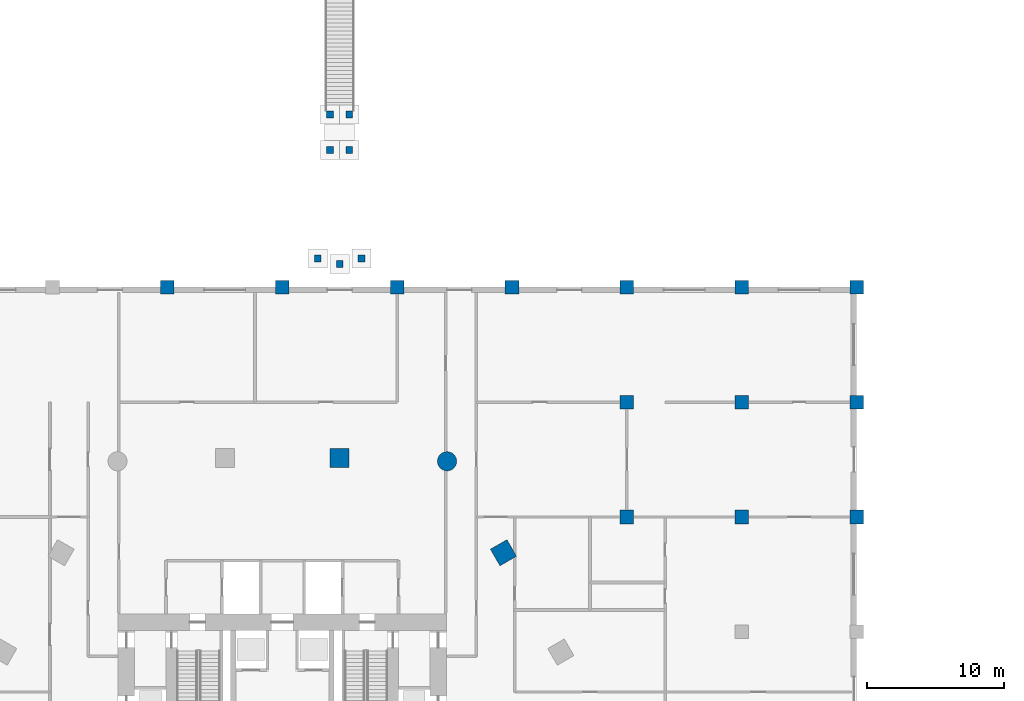
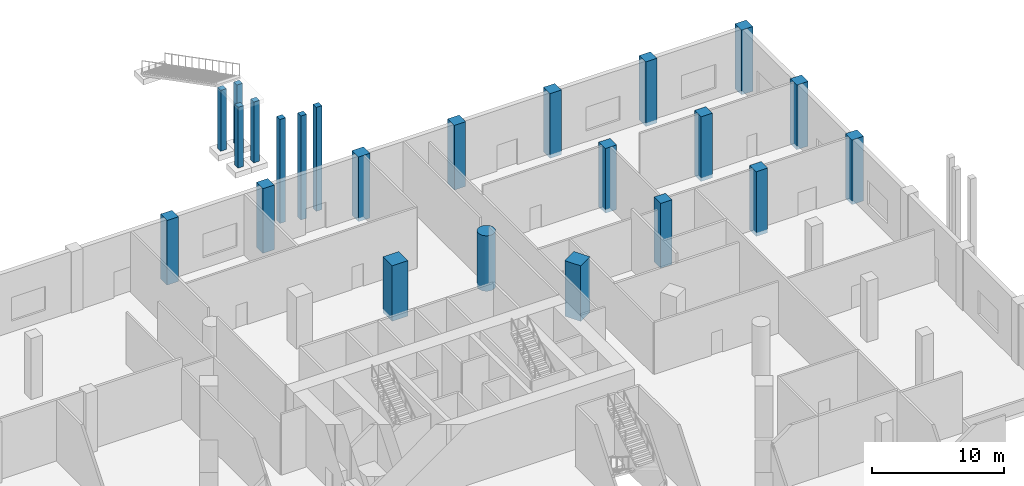
# One storey, part 2 of 25: 23 columns.
"""IFC4 building model written with IfcOpenShell, lengths in metres."""

import ifcopenshell
import ifcopenshell.guid

model = None  # the IFC model being written
_history = None  # IfcOwnerHistory: only IFC2X3 demands one
_inside = {}  # id of a spatial element -> (the spatial element, [elements in it])
_under = {}  # id of a project, library or spatial element -> (it, [spatial elements below it])
_declared = {}  # id of a project -> (the project, [libraries it declares])
_typed = {}  # id of a type object -> (the type object, [elements of that type])
_made_of = {}  # id of a material, layer set ... -> (it, [elements and type objects made of it])


def new_model(schema):
    """Start an empty IFC model of exactly this schema.

    Asked for "IFC4X3", IfcOpenShell would pick the latest addendum, in which some entities
    have other attributes; the version numbers below select the first issue.
    IFC2X3 requires an IfcOwnerHistory on every rooted entity: one is made here for all.
    """
    global model, _history
    if schema == "IFC4X3":
        model = ifcopenshell.file(schema_version=(4, 3, 0, 0))
    else:
        model = ifcopenshell.file(schema=schema)
    _inside.clear()
    _under.clear()
    _declared.clear()
    _typed.clear()
    _made_of.clear()
    _history = None
    if model.schema == "IFC2X3":
        org = make("IfcOrganization", Name="unknown")
        user = make(
            "IfcPersonAndOrganization",
            ThePerson=make("IfcPerson", FamilyName="unknown"),
            TheOrganization=org,
        )
        app = make(
            "IfcApplication",
            ApplicationDeveloper=org,
            Version="unknown",
            ApplicationFullName="unknown",
            ApplicationIdentifier="unknown",
        )
        _history = make(
            "IfcOwnerHistory",
            OwningUser=user,
            OwningApplication=app,
            ChangeAction="ADDED",
            CreationDate=0,
        )
    return model


def make(cls, **values):
    """One entity of the class cls with the attributes given. An attribute that is None is left unset."""
    return model.create_entity(
        cls, **{name: value for name, value in values.items() if value is not None}
    )


def rooted(cls, **values):
    """An entity with a GlobalId (a new one), such as an element, a storey or a relation."""
    return make(cls, GlobalId=ifcopenshell.guid.new(), OwnerHistory=_history, **values)


def si_unit(unit_type, name, prefix=None):
    """IfcSIUnit, for example si_unit("LENGTHUNIT", "METRE", prefix="MILLI")."""
    return make("IfcSIUnit", UnitType=unit_type, Prefix=prefix, Name=name)


def assignment(units):
    """IfcUnitAssignment: the units of a project."""
    return None if units is None else make("IfcUnitAssignment", Units=units)


def point(xyz):
    """IfcCartesianPoint."""
    return None if xyz is None else make("IfcCartesianPoint", Coordinates=xyz)


def direction(xyz):
    """IfcDirection."""
    return None if xyz is None else make("IfcDirection", DirectionRatios=xyz)


def frame(location, z_axis=None, x_axis=None):
    """IfcAxis2Placement3D, a coordinate frame: its origin and axes. An axis left out is left unset."""
    return make(
        "IfcAxis2Placement3D",
        Location=point(location),
        Axis=direction(z_axis),
        RefDirection=direction(x_axis),
    )


def frame_2d(location, x_axis=None):
    """IfcAxis2Placement2D, a coordinate frame in the plane: its origin and x axis."""
    return make(
        "IfcAxis2Placement2D", Location=point(location), RefDirection=direction(x_axis)
    )


def origin():
    """The frame at (0, 0, 0) with its axes left unset."""
    return frame((0.0, 0.0, 0.0))


def origin_2d():
    """The frame at (0, 0) in the plane with its x axis left unset."""
    return frame_2d((0.0, 0.0))


def place(relative_to, where):
    """IfcLocalPlacement: puts the frame where relative to a parent placement (None: the world)."""
    return make(
        "IfcLocalPlacement", PlacementRelTo=relative_to, RelativePlacement=where
    )


def context(
    kind, dimensions, precision=None, world=None, true_north=None, identifier=None
):
    """IfcGeometricRepresentationContext, for example the 3D "Model" context."""
    return make(
        "IfcGeometricRepresentationContext",
        ContextIdentifier=identifier,
        ContextType=kind,
        CoordinateSpaceDimension=dimensions,
        Precision=precision,
        WorldCoordinateSystem=world,
        TrueNorth=true_north,
    )


def subcontext(parent, identifier, kind, view, scale=None):
    """IfcGeometricRepresentationSubContext, for example "Body" below "Model"."""
    return make(
        "IfcGeometricRepresentationSubContext",
        ContextIdentifier=identifier,
        ContextType=kind,
        ParentContext=parent,
        TargetScale=scale,
        TargetView=view,
    )


def project(units=None, contexts=None):
    """IfcProject with its units and contexts."""
    return rooted(
        "IfcProject",
        Name="project",
        RepresentationContexts=contexts,
        UnitsInContext=assignment(units),
    )


def spatial(cls, under=None, at=None, **own):
    """A site, building, storey or space (cls), placed at a placement, below another one or the project."""
    s = rooted(cls, ObjectPlacement=at, **own)
    if under is not None:
        _under.setdefault(under.id(), (under, []))[1].append(s)
    return s


def profile(cls, at=None, kind="AREA", **sizes):
    """A parametric profile (cls). Its sizes go by their IFC names, for example OverallWidth=200.0."""
    return make(cls, ProfileType=kind, Position=at, **sizes)


def rectangle(**sizes):
    """IfcRectangleProfileDef."""
    return profile("IfcRectangleProfileDef", **sizes)


def circle(**sizes):
    """IfcCircleProfileDef."""
    return profile("IfcCircleProfileDef", **sizes)


def extrude(swept, where, along, depth):
    """IfcExtrudedAreaSolid: the profile swept, set in the frame where, extruded along a direction by depth."""
    return make(
        "IfcExtrudedAreaSolid",
        SweptArea=swept,
        Position=where,
        ExtrudedDirection=direction(along),
        Depth=depth,
    )


def shape(context_of_items, identifier, shape_type, items):
    """IfcShapeRepresentation: the items that make up one representation, for example the "Body"."""
    return make(
        "IfcShapeRepresentation",
        ContextOfItems=context_of_items,
        RepresentationIdentifier=identifier,
        RepresentationType=shape_type,
        Items=items,
    )


def material(Name=None, Category=None):
    """IfcMaterial."""
    return make("IfcMaterial", Name=Name, Category=Category)


def material_profile(
    of_material, cross_section, Name=None, Category=None, Priority=None
):
    """IfcMaterialProfile: a cross section and its material."""
    return make(
        "IfcMaterialProfile",
        Name=Name,
        Material=of_material,
        Profile=cross_section,
        Priority=Priority,
        Category=Category,
    )


def profile_set(profiles, Name=None, composite=None):
    """IfcMaterialProfileSet."""
    return make(
        "IfcMaterialProfileSet",
        Name=Name,
        MaterialProfiles=profiles,
        CompositeProfile=composite,
    )


def made_of(thing, what):
    """Note that an element or type object is made of a material, layer set ...; save() writes the relation."""
    if what is not None:
        _made_of.setdefault(what.id(), (what, []))[1].append(thing)
    return thing


def type_object(cls, material=None, **own):
    """A type object (cls), such as IfcWallType, which elements share."""
    return made_of(rooted(cls, **own), material)


def element(
    cls,
    number,
    at=None,
    inside=None,
    cuts=None,
    type_object=None,
    material=None,
    context=None,
    identifier="Body",
    shape_type=None,
    held_by="IfcProductDefinitionShape",
    body=None,
    shapes=None,
    **own,
):
    """One element of the class cls, such as IfcWall. Its Tag is "e" and its number.

    at: its placement. inside: the storey or other place that contains it. cuts: it is an
    opening in that element (IfcRelVoidsElement). A single representation is given by context,
    identifier, shape_type and body (its items); several are given by shapes. held_by: the class
    of the entity that holds the representations. save() writes the other relations.
    """
    e = rooted(cls, Tag="e%d" % number, ObjectPlacement=at, **own)
    if body is not None:
        shapes = [shape(context, identifier, shape_type, body)]
    if shapes is not None:
        e.Representation = make(held_by, Representations=shapes)
    if inside is not None:
        _inside.setdefault(inside.id(), (inside, []))[1].append(e)
    if cuts is not None:
        rooted(
            "IfcRelVoidsElement", RelatingBuildingElement=cuts, RelatedOpeningElement=e
        )
    if type_object is not None:
        _typed.setdefault(type_object.id(), (type_object, []))[1].append(e)
    return made_of(e, material)


def aggregate(whole, parts):
    """IfcRelAggregates: a whole, such as a stair, and the parts it consists of."""
    return rooted("IfcRelAggregates", RelatingObject=whole, RelatedObjects=parts)


def save(model, path):
    """Write the relations noted so far, then the file.

    IfcRelAggregates (storeys below a building ...), IfcRelContainedInSpatialStructure (elements
    in a storey), IfcRelDefinesByType, IfcRelAssociatesMaterial and IfcRelDeclares: one each for
    every whole, place, type object, material and project.
    """
    for whole, parts in _under.values():
        aggregate(whole, parts)
    for where, things in _inside.values():
        rooted(
            "IfcRelContainedInSpatialStructure",
            RelatedElements=things,
            RelatingStructure=where,
        )
    for kind, things in _typed.values():
        rooted("IfcRelDefinesByType", RelatedObjects=things, RelatingType=kind)
    for what, things in _made_of.values():
        rooted("IfcRelAssociatesMaterial", RelatedObjects=things, RelatingMaterial=what)
    for by, libraries in _declared.values():
        rooted("IfcRelDeclares", RelatingContext=by, RelatedDefinitions=libraries)
    model.write(path)


model = new_model("IFC4")

# Units and contexts
model_context = context("Model", 3, precision=1e-05, world=origin(), true_north=direction((0.0, 1.0)))
body_context = subcontext(model_context, "Body", "Model", "MODEL_VIEW")
ifc_project = project(units=[si_unit("LENGTHUNIT", "METRE"), si_unit("AREAUNIT", "SQUARE_METRE"), si_unit("VOLUMEUNIT", "CUBIC_METRE"), si_unit("PLANEANGLEUNIT", "RADIAN"), si_unit("MASSUNIT", "GRAM", prefix="KILO")], contexts=[model_context])

# Site, building, storey
site_placement = place(None, origin())
site = spatial("IfcSite", under=ifc_project, at=site_placement, CompositionType="ELEMENT")
building_placement = place(site_placement, origin())
building = spatial("IfcBuilding", under=site, at=building_placement, Name="Ostrander Bayou Hotel Tower", CompositionType="ELEMENT")
storey_placement = place(building_placement, origin())
storey = spatial("IfcBuildingStorey", under=building, at=storey_placement, Name="L00", CompositionType="ELEMENT", Elevation=0.0)

# Columns
ifc_material_1 = material(Name="Concrete f'c 70 MPa", Category="concrete")
ifc_material_profile_1 = material_profile(ifc_material_1, circle(Radius=0.699951171875, at=origin_2d()))
ifc_profile_set_1 = profile_set([ifc_material_profile_1], Name="Concrete f'c 70 MPa")
column_type_1 = type_object("IfcColumnType", Name="C1 round column 1400 mm f'c 70 MPa", PredefinedType="COLUMN", material=ifc_profile_set_1)
column_placement = place(storey_placement, frame((12.050537109375, 20.872314453125, -0.35009765625), z_axis=(0.0, 0.0, 1.0), x_axis=(1.0, 0.0, 0.0)))
element("IfcColumn", 1, at=column_placement, inside=storey, type_object=column_type_1, Name="C1 L00 K5", PredefinedType="COLUMN", context=body_context, shape_type="SweptSolid", body=[
    extrude(circle(Radius=0.699951171875, at=origin_2d()), origin(), (0.0, 0.0, 1.0), 5.150146484375),
])
ifc_material_2 = material(Name="Concrete f'c 70 MPa", Category="concrete")
ifc_material_profile_2 = material_profile(ifc_material_2, rectangle(XDim=1.39990234375, YDim=1.39990234375, at=origin_2d()))
ifc_profile_set_2 = profile_set([ifc_material_profile_2], Name="Concrete f'c 70 MPa")
column_type_2 = type_object("IfcColumnType", Name="C2 square column 1400 x 1400 mm f'c 70 MPa", PredefinedType="COLUMN", material=ifc_profile_set_2)
for number, where, z_axis, x_axis, name in (
    (2, (4.1953125, 21.10009765625, -0.35009765625), (0.0, 0.0, 1.0), (1.0, 0.0, 0.0), "C2 L00 N1"),
    (3, (16.17529296875, 14.183349609375, -0.35009765625), (0.0, 0.0, 1.0), (0.5, -0.866025403784, 0.0), "C2 L00 NE2"),
):
    element("IfcColumn", number, at=place(storey_placement, frame(where, z_axis=z_axis, x_axis=x_axis)), inside=storey, type_object=column_type_2, Name=name, PredefinedType="COLUMN", context=body_context, shape_type="SweptSolid", body=[
        extrude(rectangle(XDim=1.39990234375, YDim=1.39990234375, at=origin_2d()), origin(), (0.0, 0.0, 1.0), 5.150146484375),
    ])
ifc_material_3 = material(Name="Concrete f'c 60 MPa", Category="concrete")
ifc_material_profile_3 = material_profile(ifc_material_3, rectangle(XDim=1.0, YDim=1.0, at=origin_2d()))
ifc_profile_set_3 = profile_set([ifc_material_profile_3], Name="Concrete f'c 60 MPa")
column_type_3 = type_object("IfcColumnType", Name="PC1 podium column 1000 x 1000 mm f'c 60 MPa", PredefinedType="COLUMN", material=ifc_profile_set_3)
for number, where, z_axis, x_axis, name in (
    (4, (-8.39990234375, 33.60009765625, -0.35009765625), (0.0, 0.0, 1.0), (1.0, 0.0, 0.0), "PC1 L00 5K"),
    (5, (0.0, 33.60009765625, -0.35009765625), (0.0, 0.0, 1.0), (1.0, 0.0, 0.0), "PC1 L00 6K"),
    (6, (8.39990234375, 33.60009765625, -0.35009765625), (0.0, 0.0, 1.0), (1.0, 0.0, 0.0), "PC1 L00 7K"),
    (7, (16.800048828125, 33.60009765625, -0.35009765625), (0.0, 0.0, 1.0), (1.0, 0.0, 0.0), "PC1 L00 8K"),
    (8, (25.199951171875, 16.800048828125, -0.35009765625), (0.0, 0.0, 1.0), (1.0, 0.0, 0.0), "PC1 L00 9I"),
    (9, (25.199951171875, 25.199951171875, -0.35009765625), (0.0, 0.0, 1.0), (1.0, 0.0, 0.0), "PC1 L00 9J"),
    (10, (25.199951171875, 33.60009765625, -0.35009765625), (0.0, 0.0, 1.0), (1.0, 0.0, 0.0), "PC1 L00 9K"),
    (11, (33.60009765625, 16.800048828125, -0.35009765625), (0.0, 0.0, 1.0), (1.0, 0.0, 0.0), "PC1 L00 10I"),
    (12, (33.60009765625, 25.199951171875, -0.35009765625), (0.0, 0.0, 1.0), (1.0, 0.0, 0.0), "PC1 L00 10J"),
    (13, (33.60009765625, 33.60009765625, -0.35009765625), (0.0, 0.0, 1.0), (1.0, 0.0, 0.0), "PC1 L00 10K"),
    (14, (42.0, 16.800048828125, -0.35009765625), (0.0, 0.0, 1.0), (1.0, 0.0, 0.0), "PC1 L00 11I"),
    (15, (42.0, 25.199951171875, -0.35009765625), (0.0, 0.0, 1.0), (1.0, 0.0, 0.0), "PC1 L00 11J"),
    (16, (42.0, 33.60009765625, -0.35009765625), (0.0, 0.0, 1.0), (1.0, 0.0, 0.0), "PC1 L00 11K"),
):
    element("IfcColumn", number, at=place(storey_placement, frame(where, z_axis=z_axis, x_axis=x_axis)), inside=storey, type_object=column_type_3, Name=name, PredefinedType="COLUMN", context=body_context, shape_type="SweptSolid", body=[
        extrude(rectangle(XDim=1.0, YDim=1.0, at=origin_2d()), origin(), (0.0, 0.0, 1.0), 6.0),
    ])
ifc_material_4 = material(Name="Concrete f'c 40 MPa", Category="concrete")
ifc_material_profile_4 = material_profile(ifc_material_4, rectangle(XDim=0.5, YDim=0.5, at=origin_2d()))
ifc_profile_set_4 = profile_set([ifc_material_profile_4], Name="Concrete f'c 40 MPa")
column_type_4 = type_object("IfcColumnType", Name="PR1 terrace pier 500 x 500 mm f'c 40 MPa", PredefinedType="COLUMN", material=ifc_profile_set_4)
for number, where, z_axis, x_axis, name in (
    (17, (4.89990234375, 43.639892578125, 0.0), (0.0, 0.0, 1.0), (1.0, 0.0, 0.0), "PR1 pier N1"),
    (18, (3.5, 43.639892578125, 0.0), (0.0, 0.0, 1.0), (1.0, 0.0, 0.0), "PR1 pier N2"),
    (19, (4.89990234375, 46.239990234375, 0.0), (0.0, 0.0, 1.0), (1.0, 0.0, 0.0), "PR1 pier N3"),
    (20, (3.5, 46.239990234375, 0.0), (0.0, 0.0, 1.0), (1.0, 0.0, 0.0), "PR1 pier N4"),
):
    element("IfcColumn", number, at=place(storey_placement, frame(where, z_axis=z_axis, x_axis=x_axis)), inside=storey, type_object=column_type_4, Name=name, PredefinedType="COLUMN", context=body_context, shape_type="SweptSolid", body=[
        extrude(rectangle(XDim=0.5, YDim=0.5, at=origin_2d()), origin(), (0.0, 0.0, 1.0), 5.64990234375),
    ])
for number, where, z_axis, x_axis, name in (
    (21, (4.199951171875, 35.300048828125, 0.0), (0.0, 0.0, 1.0), (1.0, 0.0, 0.0), "PR1 pier NH1"),
    (22, (5.800048828125, 35.699951171875, 0.0), (0.0, 0.0, 1.0), (1.0, 0.0, 0.0), "PR1 pier NH2"),
    (23, (2.60009765625, 35.699951171875, 0.0), (0.0, 0.0, 1.0), (1.0, 0.0, 0.0), "PR1 pier NH3"),
):
    element("IfcColumn", number, at=place(storey_placement, frame(where, z_axis=z_axis, x_axis=x_axis)), inside=storey, type_object=column_type_4, Name=name, PredefinedType="COLUMN", context=body_context, shape_type="SweptSolid", body=[
        extrude(rectangle(XDim=0.5, YDim=0.5, at=origin_2d()), origin(), (0.0, 0.0, 1.0), 9.64990234375),
    ])

save(model, "model.ifc")
